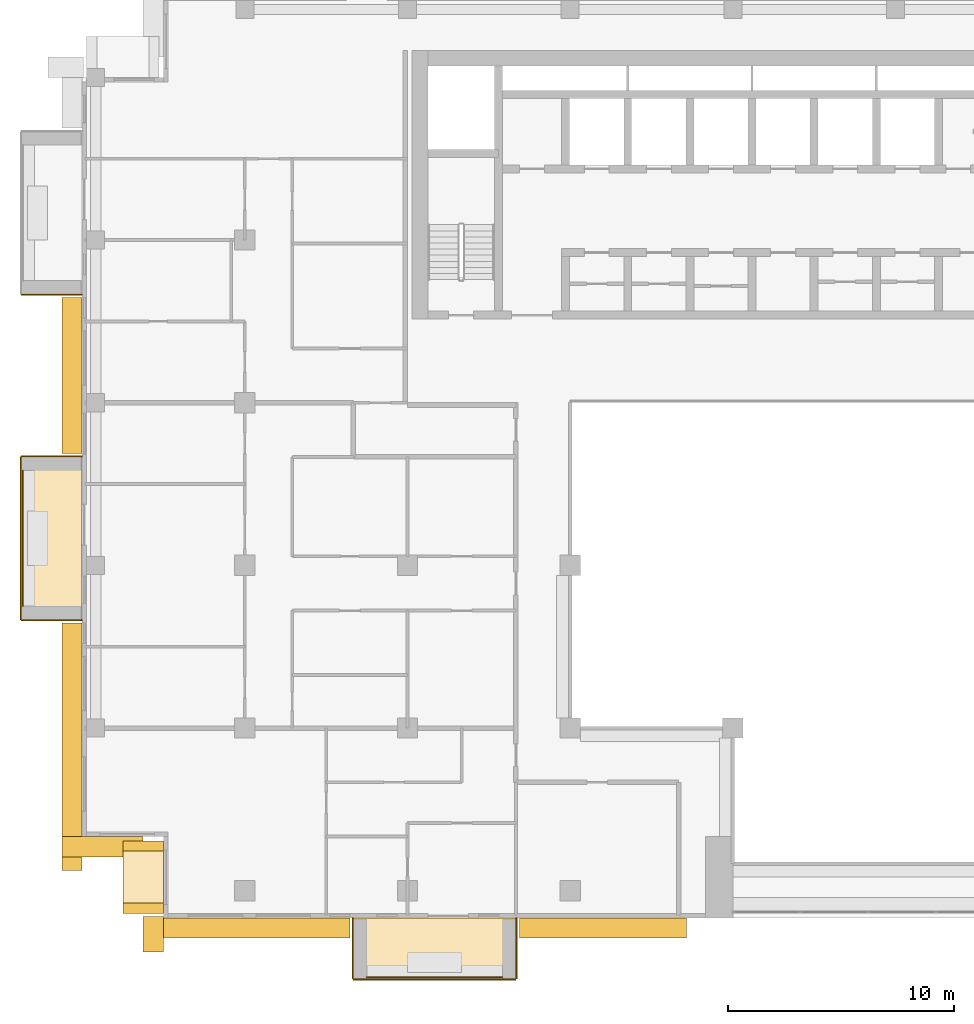
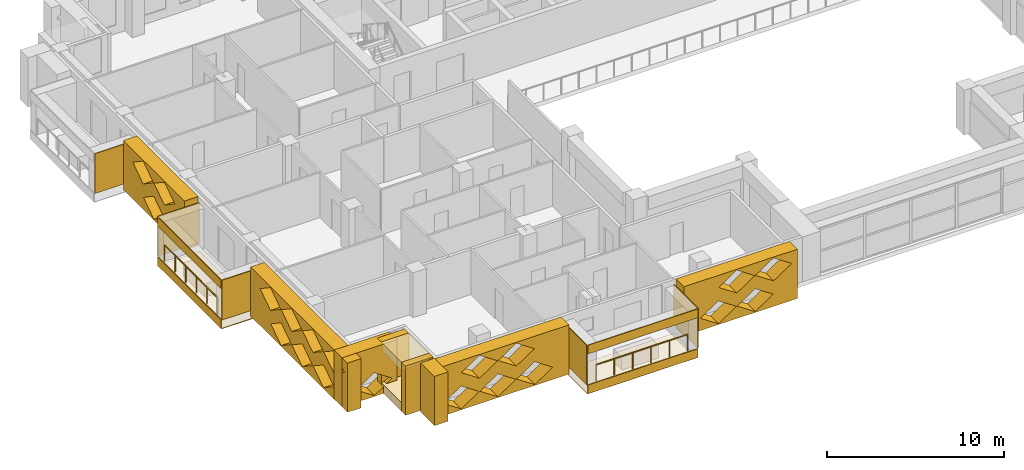
# One storey, part 14 of 20: 21 coverings, 2 railings.
"""IFC4 building model written with IfcOpenShell, lengths in metres."""

from ifc_helpers import new_model, si_unit, direction, frame, origin, origin_2d, place, context, subcontext, project, spatial, polyline, circle, outline, extrude, material, layer, layer_set, type_object, element, save


model = new_model("IFC4")

# Units and contexts
model_context = context("Model", 3, precision=1e-05, world=origin(), true_north=direction((0.0, 1.0)))
body_context = subcontext(model_context, "Body", "Model", "MODEL_VIEW")
ifc_project = project(units=[si_unit("LENGTHUNIT", "METRE"), si_unit("AREAUNIT", "SQUARE_METRE"), si_unit("VOLUMEUNIT", "CUBIC_METRE"), si_unit("PLANEANGLEUNIT", "RADIAN"), si_unit("MASSUNIT", "GRAM", prefix="KILO")], contexts=[model_context])

# Site, building, storey
site_placement = place(None, origin())
site = spatial("IfcSite", under=ifc_project, at=site_placement, CompositionType="ELEMENT")
building_placement = place(site_placement, origin())
building = spatial("IfcBuilding", under=site, at=building_placement, Name="Saffron Iwan Residences", CompositionType="ELEMENT")
storey_placement = place(building_placement, frame((0.0, 0.0, 202.5)))
storey = spatial("IfcBuildingStorey", under=building, at=storey_placement, Name="L54", CompositionType="ELEMENT", Elevation=202.5)

# Railings
ifc_material_1 = material(Name="Stainless steel 316", Category="steel")
railing_type = type_object("IfcRailingType", Name="BALCONY GUARD 1150", PredefinedType="GUARDRAIL", material=ifc_material_1)
railing_1_placement = place(storey_placement, frame((11.77490234375, 59.39990234375, 0.0)))
element("IfcRailing", 1, at=railing_1_placement, inside=storey, type_object=railing_type, Name="Balcony guard L54 F8-1", PredefinedType="GUARDRAIL", context=body_context, shape_type="SweptSolid", body=[
    extrude(circle(Radius=0.02392578125, at=origin_2d()), frame((0.0, 0.0, 1.1259765625), z_axis=(0.0, -1.0, 0.0), x_axis=(1.0, 0.0, 0.0)), (0.0, 0.0, 1.0), 6.0),
    extrude(circle(Radius=0.02099609375, at=origin_2d()), origin(), (0.0, 0.0, 1.0), 1.101806640625),
    extrude(circle(Radius=0.02099609375, at=origin_2d()), frame((0.0, -1.199951171875, 0.0)), (0.0, 0.0, 1.0), 1.101806640625),
    extrude(circle(Radius=0.02099609375, at=origin_2d()), frame((0.0, -2.39990234375, 0.0)), (0.0, 0.0, 1.0), 1.101806640625),
    extrude(circle(Radius=0.02099609375, at=origin_2d()), frame((0.0, -3.60009765625, 0.0)), (0.0, 0.0, 1.0), 1.101806640625),
    extrude(circle(Radius=0.02099609375, at=origin_2d()), frame((0.0, -4.800048828125, 0.0)), (0.0, 0.0, 1.0), 1.101806640625),
    extrude(circle(Radius=0.02099609375, at=origin_2d()), frame((0.0, -6.0, 0.0)), (0.0, 0.0, 1.0), 1.101806640625),
])
railing_2_placement = place(storey_placement, frame((27.0, 36.97509765625, 0.0)))
element("IfcRailing", 2, at=railing_2_placement, inside=storey, type_object=railing_type, Name="Balcony guard L54 11-0", PredefinedType="GUARDRAIL", context=body_context, shape_type="SweptSolid", body=[
    extrude(circle(Radius=0.02392578125, at=origin_2d()), frame((0.0, 0.0, 1.1259765625), z_axis=(1.0, 0.0, 0.0), x_axis=(0.0, 1.0, 0.0)), (0.0, 0.0, 1.0), 6.0),
    extrude(circle(Radius=0.02099609375, at=origin_2d()), origin(), (0.0, 0.0, 1.0), 1.101806640625),
    extrude(circle(Radius=0.02099609375, at=origin_2d()), frame((1.199951171875, 0.0, 0.0)), (0.0, 0.0, 1.0), 1.101806640625),
    extrude(circle(Radius=0.02099609375, at=origin_2d()), frame((2.39990234375, 0.0, 0.0)), (0.0, 0.0, 1.0), 1.101806640625),
    extrude(circle(Radius=0.02099609375, at=origin_2d()), frame((3.60009765625, 0.0, 0.0)), (0.0, 0.0, 1.0), 1.101806640625),
    extrude(circle(Radius=0.02099609375, at=origin_2d()), frame((4.800048828125, 0.0, 0.0)), (0.0, 0.0, 1.0), 1.101806640625),
    extrude(circle(Radius=0.02099609375, at=origin_2d()), frame((6.0, 0.0, 0.0)), (0.0, 0.0, 1.0), 1.101806640625),
])

# Coverings
ifc_material_2 = material(Name="Precast concrete C40/50 white painted", Category="concrete")
ifc_layer = layer(ifc_material_2, 0.050048828125)
ifc_layer_set = layer_set([ifc_layer], Name="Precast concrete C40/50 white painted")
covering_type_1 = type_object("IfcCoveringType", Name="FRAME SKIN PRECAST WHITE 50", PredefinedType="CLADDING", material=ifc_layer_set)
covering_1_placement = place(storey_placement, origin())
element("IfcCovering", 3, at=covering_1_placement, inside=storey, type_object=covering_type_1, Name="Frame skin fin L54 F8-0b", PredefinedType="CLADDING", context=body_context, shape_type="SweptSolid", body=[
    extrude(outline(polyline([(11.699951171875, 67.199951171875), (11.699951171875, 67.14990234375), (14.39990234375, 67.14990234375), (14.39990234375, 67.199951171875), (11.699951171875, 67.199951171875)])), origin(), (0.0, 0.0, 1.0), 2.75),
])
for number, where, name in (
    (4, (0.0, 0.0, -0.60009765625), "Frame skin slab edge L54 F8-1"),
    (5, (0.0, 0.0, 2.14990234375), "Frame skin fascia L54 F8-1"),
):
    element("IfcCovering", number, at=place(storey_placement, frame(where)), inside=storey, type_object=covering_type_1, Name=name, PredefinedType="CLADDING", context=body_context, shape_type="SweptSolid", body=[
        extrude(outline(polyline([(11.64990234375, 60.0), (11.64990234375, 52.800048828125), (11.699951171875, 52.800048828125), (11.699951171875, 60.0), (11.64990234375, 60.0)])), origin(), (0.0, 0.0, 1.0), 0.60009765625),
    ])
covering_2_placement = place(storey_placement, frame((0.0, 0.0, -0.64990234375)))
element("IfcCovering", 6, at=covering_2_placement, inside=storey, type_object=covering_type_1, Name="Frame skin soffit L54 F8-1", PredefinedType="CLADDING", context=body_context, shape_type="SweptSolid", body=[
    extrude(outline(polyline([(11.699951171875, 60.0), (11.699951171875, 52.800048828125), (14.39990234375, 52.800048828125), (14.39990234375, 60.0), (11.699951171875, 60.0)])), origin(), (0.0, 0.0, 1.0), 0.0498046875),
])
covering_3_placement = place(storey_placement, origin())
element("IfcCovering", 7, at=covering_3_placement, inside=storey, type_object=covering_type_1, Name="Frame skin fin L54 F8-1a", PredefinedType="CLADDING", context=body_context, shape_type="SweptSolid", body=[
    extrude(outline(polyline([(11.699951171875, 60.050048828125), (11.699951171875, 60.0), (14.39990234375, 60.0), (14.39990234375, 60.050048828125), (11.699951171875, 60.050048828125)])), origin(), (0.0, 0.0, 1.0), 2.75),
])
covering_4_placement = place(storey_placement, origin())
element("IfcCovering", 8, at=covering_4_placement, inside=storey, type_object=covering_type_1, Name="Frame skin fin L54 F8-1b", PredefinedType="CLADDING", context=body_context, shape_type="SweptSolid", body=[
    extrude(outline(polyline([(11.699951171875, 52.800048828125), (11.699951171875, 52.75), (14.39990234375, 52.75), (14.39990234375, 52.800048828125), (11.699951171875, 52.800048828125)])), origin(), (0.0, 0.0, 1.0), 2.75),
])
for number, where, name in (
    (9, (0.0, 0.0, -0.60009765625), "Frame skin slab edge L54 11-0"),
    (10, (0.0, 0.0, 2.14990234375), "Frame skin fascia L54 11-0"),
):
    element("IfcCovering", number, at=place(storey_placement, frame(where)), inside=storey, type_object=covering_type_1, Name=name, PredefinedType="CLADDING", context=body_context, shape_type="SweptSolid", body=[
        extrude(outline(polyline([(26.39990234375, 36.85009765625), (33.60009765625, 36.85009765625), (33.60009765625, 36.89990234375), (26.39990234375, 36.89990234375), (26.39990234375, 36.85009765625)])), origin(), (0.0, 0.0, 1.0), 0.60009765625),
    ])
covering_5_placement = place(storey_placement, frame((0.0, 0.0, -0.64990234375)))
element("IfcCovering", 11, at=covering_5_placement, inside=storey, type_object=covering_type_1, Name="Frame skin soffit L54 11-0", PredefinedType="CLADDING", context=body_context, shape_type="SweptSolid", body=[
    extrude(outline(polyline([(26.39990234375, 36.89990234375), (33.60009765625, 36.89990234375), (33.60009765625, 39.60009765625), (26.39990234375, 39.60009765625), (26.39990234375, 36.89990234375)])), origin(), (0.0, 0.0, 1.0), 0.0498046875),
])
covering_6_placement = place(storey_placement, origin())
element("IfcCovering", 12, at=covering_6_placement, inside=storey, type_object=covering_type_1, Name="Frame skin fin L54 11-0a", PredefinedType="CLADDING", context=body_context, shape_type="SweptSolid", body=[
    extrude(outline(polyline([(26.35009765625, 36.89990234375), (26.39990234375, 36.89990234375), (26.39990234375, 39.60009765625), (26.35009765625, 39.60009765625), (26.35009765625, 36.89990234375)])), origin(), (0.0, 0.0, 1.0), 2.75),
])
covering_7_placement = place(storey_placement, origin())
element("IfcCovering", 13, at=covering_7_placement, inside=storey, type_object=covering_type_1, Name="Frame skin fin L54 11-0b", PredefinedType="CLADDING", context=body_context, shape_type="SweptSolid", body=[
    extrude(outline(polyline([(33.60009765625, 36.89990234375), (33.64990234375, 36.89990234375), (33.64990234375, 39.60009765625), (33.60009765625, 39.60009765625), (33.60009765625, 36.89990234375)])), origin(), (0.0, 0.0, 1.0), 2.75),
])
ifc_material_3 = material(Name="Precast concrete C40/50", Category="concrete")
covering_type_2 = type_object("IfcCoveringType", Name="OUTER SKIN LATTICE SCREEN", PredefinedType="CLADDING", material=ifc_material_3)
covering_8_placement = place(storey_placement, frame((14.39990234375, 67.050048828125, -0.300048828125), z_axis=(-1.0, 0.0, 0.0), x_axis=(0.0, -1.0, 0.0)))
element("IfcCovering", 14, at=covering_8_placement, inside=storey, type_object=covering_type_2, Name="OUTER SKIN lattice screen L54 F8.1", PredefinedType="CLADDING", context=body_context, shape_type="SweptSolid", body=[
    extrude(outline(polyline([(0.0, 0.0), (6.89990234375, 0.0), (6.89990234375, 3.39990234375), (0.0, 3.39990234375), (0.0, 0.0)]), holes=[polyline([(2.27001953125, 0.85009765625), (3.449951171875, 0.06005859375), (4.6298828125, 0.85009765625), (3.449951171875, 1.639892578125), (2.27001953125, 0.85009765625)]), polyline([(1.070068359375, 2.550048828125), (2.25, 1.760009765625), (3.429931640625, 2.550048828125), (2.25, 3.340087890625), (1.070068359375, 2.550048828125)]), polyline([(3.469970703125, 2.550048828125), (4.64990234375, 1.760009765625), (5.830078125, 2.550048828125), (4.64990234375, 3.340087890625), (3.469970703125, 2.550048828125)])]), origin(), (0.0, 0.0, 1.0), 0.89990234375),
])
covering_9_placement = place(storey_placement, frame((14.39990234375, 52.64990234375, -0.300048828125), z_axis=(-1.0, 0.0, 0.0), x_axis=(0.0, -1.0, 0.0)))
element("IfcCovering", 15, at=covering_9_placement, inside=storey, type_object=covering_type_2, Name="OUTER SKIN lattice screen L54 F8.2", PredefinedType="CLADDING", context=body_context, shape_type="SweptSolid", body=[
    extrude(outline(polyline([(0.0, 0.0), (10.949951171875, 0.0), (10.949951171875, 3.39990234375), (0.0, 3.39990234375), (0.0, 0.0)]), holes=[polyline([(2.27001953125, 0.85009765625), (3.449951171875, 0.06005859375), (4.6298828125, 0.85009765625), (3.449951171875, 1.639892578125), (2.27001953125, 0.85009765625)]), polyline([(4.669921875, 0.85009765625), (5.85009765625, 0.06005859375), (7.030029296875, 0.85009765625), (5.85009765625, 1.639892578125), (4.669921875, 0.85009765625)]), polyline([(7.070068359375, 0.85009765625), (8.25, 0.06005859375), (9.429931640625, 0.85009765625), (8.25, 1.639892578125), (7.070068359375, 0.85009765625)]), polyline([(1.070068359375, 2.550048828125), (2.25, 1.760009765625), (3.429931640625, 2.550048828125), (2.25, 3.340087890625), (1.070068359375, 2.550048828125)]), polyline([(3.469970703125, 2.550048828125), (4.64990234375, 1.760009765625), (5.830078125, 2.550048828125), (4.64990234375, 3.340087890625), (3.469970703125, 2.550048828125)]), polyline([(5.8701171875, 2.550048828125), (7.050048828125, 1.760009765625), (8.22998046875, 2.550048828125), (7.050048828125, 3.340087890625), (5.8701171875, 2.550048828125)]), polyline([(8.27001953125, 2.550048828125), (9.449951171875, 1.760009765625), (10.6298828125, 2.550048828125), (9.449951171875, 3.340087890625), (8.27001953125, 2.550048828125)])]), origin(), (0.0, 0.0, 1.0), 0.89990234375),
])
covering_10_placement = place(storey_placement, frame((13.5, 43.199951171875, -0.300048828125), z_axis=(0.0, -1.0, 0.0), x_axis=(1.0, 0.0, 0.0)))
element("IfcCovering", 16, at=covering_10_placement, inside=storey, type_object=covering_type_2, Name="OUTER SKIN lattice screen L54 F9.0", PredefinedType="CLADDING", context=body_context, shape_type="SweptSolid", body=[
    extrude(outline(polyline([(0.0, 0.0), (3.60009765625, 0.0), (3.60009765625, 3.39990234375), (0.0, 3.39990234375), (0.0, 0.0)]), holes=[polyline([(0.919921875, 0.85009765625), (2.10009765625, 0.06005859375), (3.280029296875, 0.85009765625), (2.10009765625, 1.639892578125), (0.919921875, 0.85009765625)])]), origin(), (0.0, 0.0, 1.0), 0.89990234375),
])
covering_11_placement = place(storey_placement, frame((18.0, 39.64990234375, -0.300048828125), z_axis=(-1.0, 0.0, 0.0), x_axis=(0.0, -1.0, 0.0)))
element("IfcCovering", 17, at=covering_11_placement, inside=storey, type_object=covering_type_2, Name="OUTER SKIN lattice screen L54 F10.0", PredefinedType="CLADDING", context=body_context, shape_type="SweptSolid", body=[
    extrude(outline(polyline([(0.0, 0.0), (1.550048828125, 0.0), (1.550048828125, 3.39990234375), (0.0, 3.39990234375), (0.0, 0.0)])), origin(), (0.0, 0.0, 1.0), 0.89990234375),
])
covering_12_placement = place(storey_placement, frame((17.10009765625, 39.60009765625, -0.300048828125), z_axis=(0.0, -1.0, 0.0), x_axis=(1.0, 0.0, 0.0)))
element("IfcCovering", 18, at=covering_12_placement, inside=storey, type_object=covering_type_2, Name="OUTER SKIN lattice screen L54 F11.0", PredefinedType="CLADDING", context=body_context, shape_type="SweptSolid", body=[
    extrude(outline(polyline([(0.0, 0.0), (9.14990234375, 0.0), (9.14990234375, 3.39990234375), (0.0, 3.39990234375), (0.0, 0.0)]), holes=[polyline([(0.919921875, 0.85009765625), (2.10009765625, 0.06005859375), (3.280029296875, 0.85009765625), (2.10009765625, 1.639892578125), (0.919921875, 0.85009765625)]), polyline([(3.320068359375, 0.85009765625), (4.5, 0.06005859375), (5.679931640625, 0.85009765625), (4.5, 1.639892578125), (3.320068359375, 0.85009765625)]), polyline([(5.719970703125, 0.85009765625), (6.89990234375, 0.06005859375), (8.080078125, 0.85009765625), (6.89990234375, 1.639892578125), (5.719970703125, 0.85009765625)]), polyline([(2.1201171875, 2.550048828125), (3.300048828125, 1.760009765625), (4.47998046875, 2.550048828125), (3.300048828125, 3.340087890625), (2.1201171875, 2.550048828125)]), polyline([(4.52001953125, 2.550048828125), (5.699951171875, 1.760009765625), (6.8798828125, 2.550048828125), (5.699951171875, 3.340087890625), (4.52001953125, 2.550048828125)])]), origin(), (0.0, 0.0, 1.0), 0.900146484375),
])
covering_13_placement = place(storey_placement, frame((33.75, 39.60009765625, -0.300048828125), z_axis=(0.0, -1.0, 0.0), x_axis=(1.0, 0.0, 0.0)))
element("IfcCovering", 19, at=covering_13_placement, inside=storey, type_object=covering_type_2, Name="OUTER SKIN lattice screen L54 F11.1", PredefinedType="CLADDING", context=body_context, shape_type="SweptSolid", body=[
    extrude(outline(polyline([(0.0, 0.0), (7.39990234375, 0.0), (7.39990234375, 3.39990234375), (0.0, 3.39990234375), (0.0, 0.0)]), holes=[polyline([(1.070068359375, 0.85009765625), (2.25, 0.06005859375), (3.429931640625, 0.85009765625), (2.25, 1.639892578125), (1.070068359375, 0.85009765625)]), polyline([(3.469970703125, 0.85009765625), (4.64990234375, 0.06005859375), (5.830078125, 0.85009765625), (4.64990234375, 1.639892578125), (3.469970703125, 0.85009765625)]), polyline([(2.27001953125, 2.550048828125), (3.449951171875, 1.760009765625), (4.6298828125, 2.550048828125), (3.449951171875, 3.340087890625), (2.27001953125, 2.550048828125)]), polyline([(4.669921875, 2.550048828125), (5.85009765625, 1.760009765625), (7.030029296875, 2.550048828125), (5.85009765625, 3.340087890625), (4.669921875, 2.550048828125)])]), origin(), (0.0, 0.0, 1.0), 0.900146484375),
])
covering_type_3 = type_object("IfcCoveringType", Name="WHITE SUN FRAME PRECAST", PredefinedType="CLADDING", material=ifc_material_2)
for number, where, z_axis, x_axis, name in (
    (20, (18.0, 43.0, -0.300048828125), (-1.0, 0.0, 0.0), (0.0, -1.0, 0.0), "Sun frame L54 F10 0.2a"),
    (21, (18.0, 40.25, -0.300048828125), (-1.0, 0.0, 0.0), (0.0, -1.0, 0.0), "Sun frame L54 F10 0.2b"),
):
    element("IfcCovering", number, at=place(storey_placement, frame(where, z_axis=z_axis, x_axis=x_axis)), inside=storey, type_object=covering_type_3, Name=name, PredefinedType="CLADDING", context=body_context, shape_type="SweptSolid", body=[
        extrude(outline(polyline([(0.0, 0.0), (0.449951171875, 0.0), (0.449951171875, 3.39990234375), (0.0, 3.39990234375), (0.0, 0.0)])), origin(), (0.0, 0.0, 1.0), 1.800048828125),
    ])
for number, where, z_axis, x_axis, name in (
    (22, (18.0, 42.550048828125, 2.5), (-1.0, 0.0, 0.0), (0.0, -1.0, 0.0), "Sun frame L54 F10 0.2h"),
    (23, (18.0, 42.550048828125, -0.300048828125), (-1.0, 0.0, 0.0), (0.0, -1.0, 0.0), "Sun frame L54 F10 0.2s"),
):
    element("IfcCovering", number, at=place(storey_placement, frame(where, z_axis=z_axis, x_axis=x_axis)), inside=storey, type_object=covering_type_3, Name=name, PredefinedType="CLADDING", context=body_context, shape_type="SweptSolid", body=[
        extrude(outline(polyline([(0.0, 0.0), (2.300048828125, 0.0), (2.300048828125, 0.60009765625), (0.0, 0.60009765625), (0.0, 0.0)])), origin(), (0.0, 0.0, 1.0), 1.800048828125),
    ])

save(model, "model.ifc")
